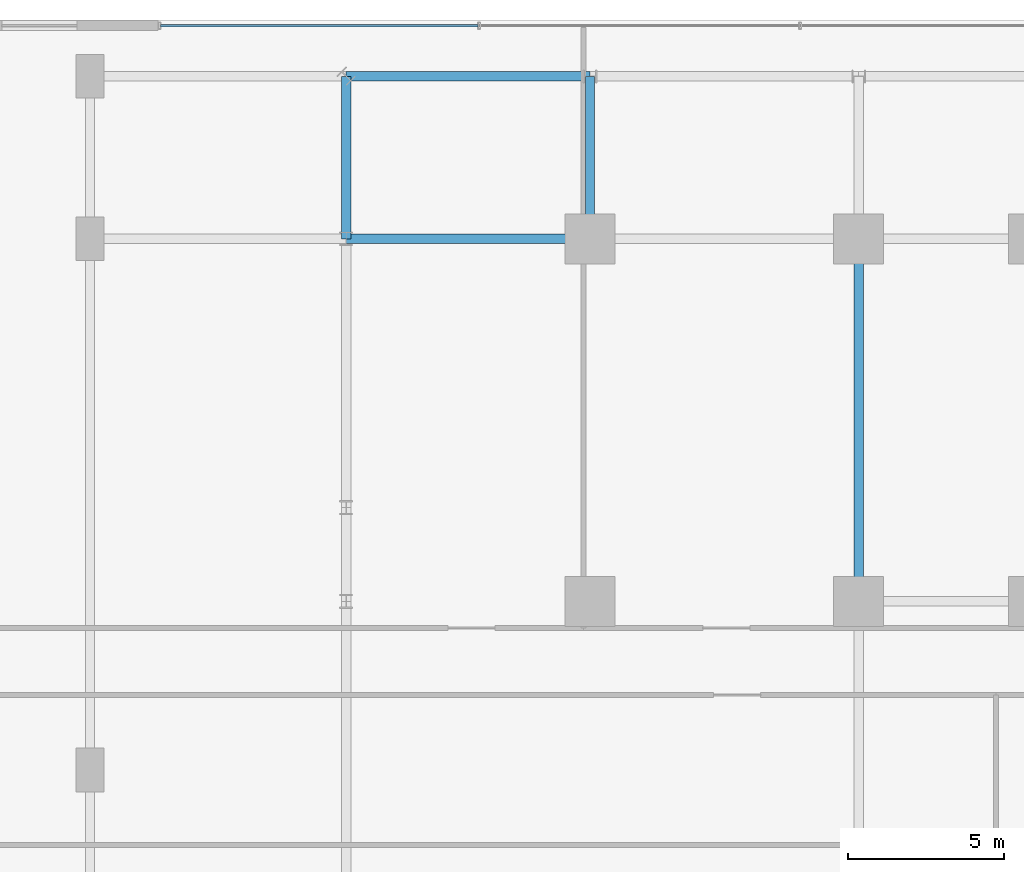
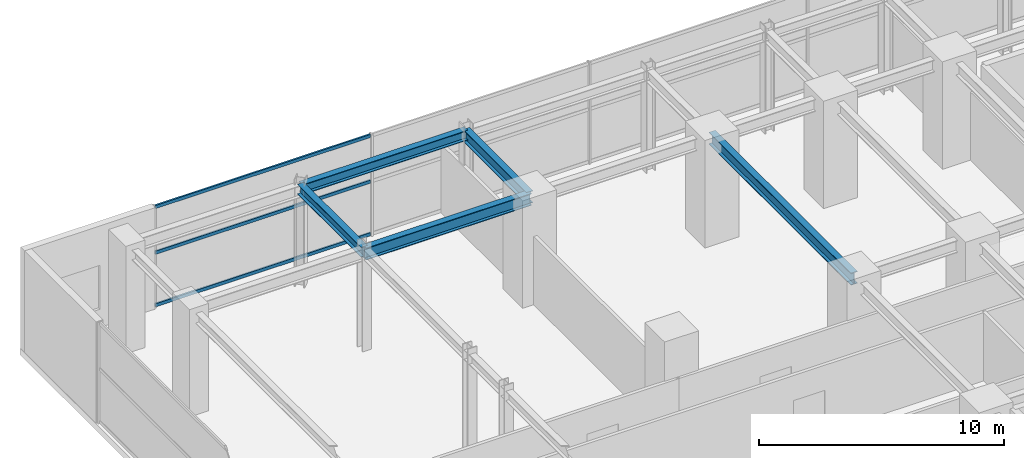
# One storey, part 15 of 32: 5 beams, 3 members, 1 element without a shape of its own.
"""IFC4 building model written with IfcOpenShell, lengths in metres."""

from ifc_helpers import new_model, si_unit, direction, frame, origin, origin_2d, place, context, subcontext, project, spatial, hollow_rectangle, i_section, extrude, source, transform, mapped, material, material_profile, profile_set, type_object, element, aggregate, save


model = new_model("IFC4")

# Units and contexts
model_context = context("Model", 3, precision=1e-05, world=origin(), true_north=direction((0.0, 1.0)))
body_context = subcontext(model_context, "Body", "Model", "MODEL_VIEW")
ifc_project = project(units=[si_unit("LENGTHUNIT", "METRE"), si_unit("AREAUNIT", "SQUARE_METRE"), si_unit("VOLUMEUNIT", "CUBIC_METRE"), si_unit("PLANEANGLEUNIT", "RADIAN"), si_unit("MASSUNIT", "GRAM", prefix="KILO")], contexts=[model_context])

# Site, building, storey
site_placement = place(None, origin())
site = spatial("IfcSite", under=ifc_project, at=site_placement, CompositionType="ELEMENT")
building_placement = place(site_placement, origin())
building = spatial("IfcBuilding", under=site, at=building_placement, Name="Nahalor Promenade Grand Hotel", CompositionType="ELEMENT")
storey_placement = place(building_placement, frame((0.0, 0.0, 10.800048828125)))
storey = spatial("IfcBuildingStorey", under=building, at=storey_placement, Name="L02", CompositionType="ELEMENT", Elevation=10.800048828125)

# Beams
ifc_material_1 = material(Name="Steel S355JR", Category="steel")
ifc_material_profile_1 = material_profile(ifc_material_1, i_section(OverallWidth=0.3, OverallDepth=0.6, WebThickness=0.0155, FlangeThickness=0.03, at=origin_2d()), Name="HEB 600")
ifc_profile_set_1 = profile_set([ifc_material_profile_1], Name="Steel S355JR")
beam_type_1 = type_object("IfcBeamType", Name="Beam-Girder-HEB600", PredefinedType="BEAM", material=ifc_profile_set_1)
shared_shape_1 = source(origin(), body_context, "Body", "SweptSolid", [
    extrude(i_section(OverallWidth=0.3, OverallDepth=0.6, WebThickness=0.0155, FlangeThickness=0.03, at=origin_2d()), origin(), (0.0, 0.0, 1.0), 7.800048828125),
])
beam_1_placement = place(storey_placement, frame((-24.800048828125, 17.0, 4.760009765625), z_axis=(1.0, 0.0, 0.0), x_axis=(0.0, 1.0, 0.0)))
element("IfcBeam", 1, at=beam_1_placement, inside=storey, type_object=beam_type_1, Name="BM-L02-GX-3-1", PredefinedType="BEAM", context=body_context, shape_type="MappedRepresentation", body=[
    mapped(shared_shape_1, transform((0.0, 0.0, 0.0), scale=1.0)),
])
shared_shape_2 = source(origin(), body_context, "Body", "SweptSolid", [
    extrude(i_section(OverallWidth=0.3, OverallDepth=0.6, WebThickness=0.0155, FlangeThickness=0.03, at=origin_2d()), origin(), (0.0, 0.0, 1.0), 5.199951171875),
])
beam_2_placement = place(storey_placement, frame((-17.0, 17.0, 4.760009765625), z_axis=(0.0, 1.0, 0.0), x_axis=(-1.0, 0.0, 0.0)))
element("IfcBeam", 2, at=beam_2_placement, inside=storey, type_object=beam_type_1, Name="BM-L02-GY-0-4", PredefinedType="BEAM", context=body_context, shape_type="MappedRepresentation", body=[
    mapped(shared_shape_2, transform((0.0, 0.0, 0.0), scale=1.0)),
])
shared_shape_3 = source(origin(), body_context, "Body", "SweptSolid", [
    extrude(i_section(OverallWidth=0.3, OverallDepth=0.6, WebThickness=0.0155, FlangeThickness=0.03, at=origin_2d()), origin(), (0.0, 0.0, 1.0), 11.60009765625),
])
beam_3_placement = place(storey_placement, frame((-8.39990234375, 5.39990234375, 4.760009765625), z_axis=(0.0, 1.0, 0.0), x_axis=(-1.0, 0.0, 0.0)))
element("IfcBeam", 3, at=beam_3_placement, inside=storey, type_object=beam_type_1, Name="BM-L02-GY-1-3", PredefinedType="BEAM", context=body_context, shape_type="MappedRepresentation", body=[
    mapped(shared_shape_3, transform((0.0, 0.0, 0.0), scale=1.0)),
])
ifc_material_profile_2 = material_profile(ifc_material_1, i_section(OverallWidth=0.3, OverallDepth=0.5, WebThickness=0.0145, FlangeThickness=0.028, at=origin_2d()), Name="HEB 500")
ifc_profile_set_2 = profile_set([ifc_material_profile_2], Name="Steel S355JR")
beam_type_2 = type_object("IfcBeamType", Name="Beam-Spandrel-HEB500", PredefinedType="SPANDREL", material=ifc_profile_set_2)
shared_shape_4 = source(origin(), body_context, "Body", "SweptSolid", [
    extrude(i_section(OverallWidth=0.3, OverallDepth=0.5, WebThickness=0.0145, FlangeThickness=0.028, at=origin_2d()), origin(), (0.0, 0.0, 1.0), 7.800048828125),
])
beam_4_placement = place(storey_placement, frame((-17.0, 22.199951171875, 4.81005859375), z_axis=(-1.0, 0.0, 0.0), x_axis=(0.0, -1.0, 0.0)))
element("IfcBeam", 4, at=beam_4_placement, inside=storey, type_object=beam_type_2, Name="BM-L02-SPC-NW-1", PredefinedType="SPANDREL", context=body_context, shape_type="MappedRepresentation", body=[
    mapped(shared_shape_4, transform((0.0, 0.0, 0.0), scale=1.0)),
])
shared_shape_5 = source(origin(), body_context, "Body", "SweptSolid", [
    extrude(i_section(OverallWidth=0.3, OverallDepth=0.5, WebThickness=0.0145, FlangeThickness=0.028, at=origin_2d()), origin(), (0.0, 0.0, 1.0), 5.199951171875),
])
beam_5_placement = place(storey_placement, frame((-24.800048828125, 22.199951171875, 4.81005859375), z_axis=(0.0, -1.0, 0.0), x_axis=(1.0, 0.0, 0.0)))
element("IfcBeam", 5, at=beam_5_placement, inside=storey, type_object=beam_type_2, Name="BM-L02-SPC-NW-2", PredefinedType="SPANDREL", context=body_context, shape_type="MappedRepresentation", body=[
    mapped(shared_shape_5, transform((0.0, 0.0, 0.0), scale=1.0)),
])

# Curtain wall, members
ifc_material_2 = material(Name="Anodised Bronze Aluminium EN AW-6063 T6", Category="aluminium")
curtain_wall_type = type_object("IfcCurtainWallType", Name="CW1 Waterfront Podium Bronze Arcade Curtain Wall", PredefinedType="USERDEFINED", material=ifc_material_2)
curtain_wall_placement = place(storey_placement, origin())
curtain_wall = element("IfcCurtainWall", 6, at=curtain_wall_placement, inside=storey, type_object=curtain_wall_type, Name="L02 Curtain Wall CW-L02-N", ObjectType="UNITISED_CURTAIN_WALL", PredefinedType="USERDEFINED")
ifc_material_profile_3 = material_profile(ifc_material_2, hollow_rectangle(XDim=0.08, YDim=0.16, WallThickness=0.004, at=origin_2d()), Name="CWT 80x160x4")
ifc_profile_set_3 = profile_set([ifc_material_profile_3], Name="Anodised Bronze Aluminium EN AW-6063 T6")
member_type = type_object("IfcMemberType", Name="CWT1 Podium Bronze Transom 80x160", PredefinedType="USERDEFINED", material=ifc_profile_set_3)
shared_shape_6 = source(origin(), body_context, "Body", "SweptSolid", [
    extrude(hollow_rectangle(XDim=0.08, YDim=0.16, WallThickness=0.004, at=origin_2d()), origin(), (0.0, 0.0, 1.0), 10.1533203125),
])
member_1_placement = place(storey_placement, frame((-30.739990234375, 23.820068359375, 0.079833984375), z_axis=(1.0, 0.0, 0.0), x_axis=(0.0, 1.0, 0.0)))
member_1 = element("IfcMember", 7, at=member_1_placement, type_object=member_type, Name="CW-L02-N Transom 0-0", ObjectType="TRANSOM", PredefinedType="USERDEFINED", context=body_context, shape_type="MappedRepresentation", body=[
    mapped(shared_shape_6, transform((0.0, 0.0, 0.0), scale=1.0)),
])
member_2_placement = place(storey_placement, frame((-30.739990234375, 23.820068359375, 2.699951171875), z_axis=(1.0, 0.0, 0.0), x_axis=(0.0, 1.0, 0.0)))
member_2 = element("IfcMember", 8, at=member_2_placement, type_object=member_type, Name="CW-L02-N Transom 0-1", ObjectType="TRANSOM", PredefinedType="USERDEFINED", context=body_context, shape_type="MappedRepresentation", body=[
    mapped(shared_shape_6, transform((0.0, 0.0, 0.0), scale=1.0)),
])
member_3_placement = place(storey_placement, frame((-30.739990234375, 23.820068359375, 4.97998046875), z_axis=(1.0, 0.0, 0.0), x_axis=(0.0, 1.0, 0.0)))
member_3 = element("IfcMember", 9, at=member_3_placement, type_object=member_type, Name="CW-L02-N Transom 0-2", ObjectType="TRANSOM", PredefinedType="USERDEFINED", context=body_context, shape_type="MappedRepresentation", body=[
    mapped(shared_shape_6, transform((0.0, 0.0, 0.0), scale=1.0)),
])
aggregate(curtain_wall, [member_1, member_2, member_3])

save(model, "model.ifc")
